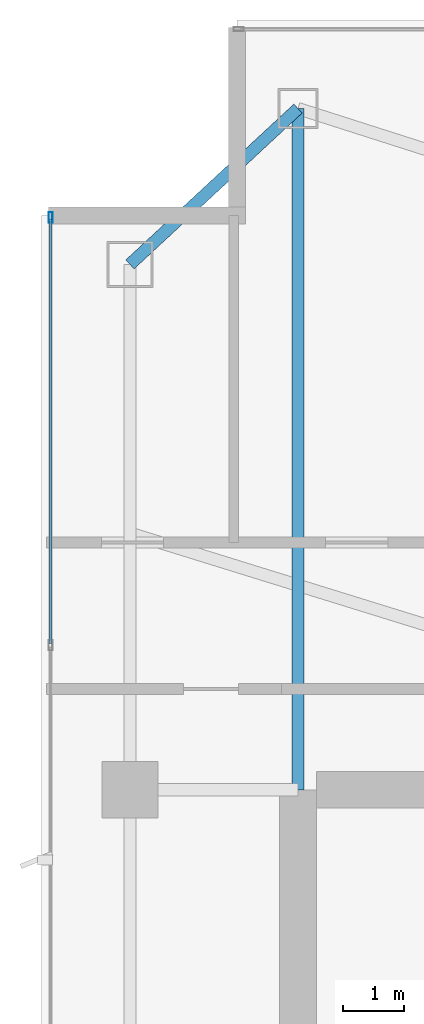
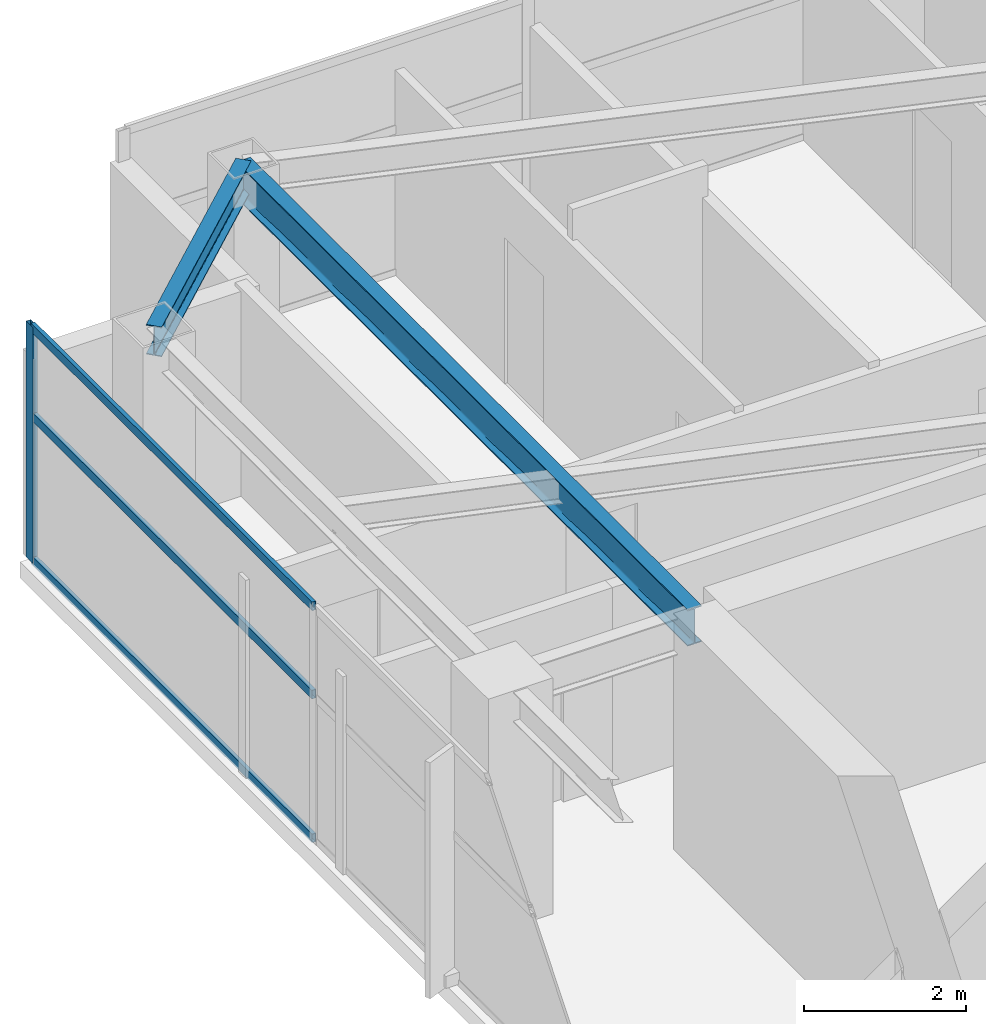
# One storey, part 17 of 28: 4 members, 2 beams, 1 element without a shape of its own.
"""IFC4 building model written with IfcOpenShell, lengths in metres."""

from ifc_helpers import new_model, si_unit, direction, frame, origin, origin_2d, place, context, subcontext, project, spatial, hollow_rectangle, i_section, extrude, material, layer, layer_set, material_profile, profile_set, type_object, element, aggregate, save


model = new_model("IFC4")

# Units and contexts
model_context = context("Model", 3, precision=1e-05, world=origin(), true_north=direction((0.0, 1.0)))
body_context = subcontext(model_context, "Body", "Model", "MODEL_VIEW")
ifc_project = project(units=[si_unit("LENGTHUNIT", "METRE"), si_unit("AREAUNIT", "SQUARE_METRE"), si_unit("VOLUMEUNIT", "CUBIC_METRE"), si_unit("PLANEANGLEUNIT", "RADIAN"), si_unit("MASSUNIT", "GRAM", prefix="KILO")], contexts=[model_context])

# Site, building, storey
site_placement = place(None, origin())
site = spatial("IfcSite", under=ifc_project, at=site_placement, CompositionType="ELEMENT")
building_placement = place(site_placement, origin())
building = spatial("IfcBuilding", under=site, at=building_placement, Name="Calvorn Quay Hotel", CompositionType="ELEMENT")
storey_placement = place(building_placement, frame((0.0, 0.0, 267.300048828125)))
storey = spatial("IfcBuildingStorey", under=building, at=storey_placement, Name="L66", CompositionType="ELEMENT", Elevation=267.300048828125)

# Beams
ifc_material_1 = material(Name="Steel Q355B", Category="steel")
ifc_material_profile_1 = material_profile(ifc_material_1, i_section(OverallWidth=0.199951171875, OverallDepth=0.550048828125, WebThickness=0.010009765625, FlangeThickness=0.01611328125, FilletRadius=0.01806640625, at=origin_2d()), Name="HN550x200x10x16")
ifc_profile_set_1 = profile_set([ifc_material_profile_1], Name="Steel Q355B")
beam_type_1 = type_object("IfcBeamType", Name="BM-GIRD-UPP", PredefinedType="BEAM", material=ifc_profile_set_1)
beam_1_placement = place(storey_placement, frame((4.199951171875, 49.550048828125, 3.264892578125), z_axis=(0.0, -1.0, 0.0), x_axis=(1.0, 0.0, 0.0)))
element("IfcBeam", 1, at=beam_1_placement, inside=storey, type_object=beam_type_1, Name="Beam BG-L66-W5", PredefinedType="BEAM", context=body_context, shape_type="SweptSolid", body=[
    extrude(i_section(OverallWidth=0.199951171875, OverallDepth=0.550048828125, WebThickness=0.010009765625, FlangeThickness=0.01611328125, FilletRadius=0.01806640625, at=origin_2d()), origin(), (0.0, 0.0, 1.0), 11.150146484375),
])
ifc_material_2 = material(Name="Steel Q355B", Category="steel")
ifc_material_profile_2 = material_profile(ifc_material_2, i_section(OverallWidth=0.199951171875, OverallDepth=0.449951171875, WebThickness=0.009033203125, FlangeThickness=0.013916015625, FilletRadius=0.01611328125, at=origin_2d()), Name="HN450x200x9x14")
ifc_profile_set_2 = profile_set([ifc_material_profile_2], Name="Steel Q355B")
beam_type_2 = type_object("IfcBeamType", Name="BM-SPANDREL-Z3", PredefinedType="SPANDREL", material=ifc_profile_set_2)
beam_2_placement = place(storey_placement, frame((1.449951171875, 47.0, 3.31494140625), z_axis=(0.733261665538, 0.679946563969, 0.0), x_axis=(-0.679946563969, 0.733261665538, 0.0)))
element("IfcBeam", 2, at=beam_2_placement, inside=storey, type_object=beam_type_2, Name="Beam BSP-L66-W5", PredefinedType="SPANDREL", context=body_context, shape_type="SweptSolid", body=[
    extrude(i_section(OverallWidth=0.199951171875, OverallDepth=0.449951171875, WebThickness=0.009033203125, FlangeThickness=0.013916015625, FilletRadius=0.01611328125, at=origin_2d()), origin(), (0.0, 0.0, 1.0), 3.75048828125),
])

# Curtain wall, members
ifc_material_3 = material(Name="Champagne Bronze Anodised Aluminium and Low-E Glass", Category="aluminium")
ifc_layer = layer(ifc_material_3, 0.219970703125)
ifc_layer_set = layer_set([ifc_layer], Name="CW-SYS-Z4")
curtain_wall_type = type_object("IfcCurtainWallType", Name="CW-SYS-Z4", PredefinedType="NOTDEFINED", material=ifc_layer_set)
curtain_wall_placement = place(storey_placement, origin())
curtain_wall = element("IfcCurtainWall", 3, at=curtain_wall_placement, inside=storey, type_object=curtain_wall_type, Name="Tower West Curtain Wall (L66)", PredefinedType="NOTDEFINED")
ifc_material_4 = material(Name="Champagne Bronze Anodised Aluminium 6063-T6", Category="aluminium")
ifc_material_profile_3 = material_profile(ifc_material_4, hollow_rectangle(XDim=0.06494140625, YDim=0.169921875, WallThickness=0.00341796875, at=origin_2d()), Name="ALU-M170x65x3.5")
ifc_profile_set_3 = profile_set([ifc_material_profile_3], Name="Champagne Bronze Anodised Aluminium 6063-T6")
member_type_1 = type_object("IfcMemberType", Name="CW-SYS-Z4-MUL", PredefinedType="MULLION", material=ifc_profile_set_3)
member_1_placement = place(storey_placement, frame((0.14990234375, 47.77001953125, 0.0), z_axis=(0.0, 0.0, 1.0), x_axis=(-1.0, 0.0, 0.0)))
member_1 = element("IfcMember", 4, at=member_1_placement, type_object=member_type_1, Name="CW-L66-W mullion 7", PredefinedType="MULLION", context=body_context, shape_type="SweptSolid", body=[
    extrude(hollow_rectangle(XDim=0.06494140625, YDim=0.169921875, WallThickness=0.00341796875, at=origin_2d()), origin(), (0.0, 0.0, 1.0), 3.56005859375),
])
ifc_material_5 = material(Name="Champagne Bronze Anodised Aluminium 6063-T6", Category="aluminium")
ifc_material_profile_4 = material_profile(ifc_material_5, hollow_rectangle(XDim=0.054931640625, YDim=0.1298828125, WallThickness=0.003173828125, at=origin_2d()), Name="ALU-T130x55x3.2")
ifc_profile_set_4 = profile_set([ifc_material_profile_4], Name="Champagne Bronze Anodised Aluminium 6063-T6")
member_type_2 = type_object("IfcMemberType", Name="CW-SYS-Z4-TRN", PredefinedType="USERDEFINED", material=ifc_profile_set_4)
member_2_placement = place(storey_placement, frame((0.14990234375, 40.796630859375, 0.030029296875), z_axis=(0.0, 1.0, 0.0), x_axis=(-1.0, 0.0, 0.0)))
member_2 = element("IfcMember", 5, at=member_2_placement, type_object=member_type_2, Name="CW-L66-W transom 6.1", ObjectType="TRANSOM", PredefinedType="USERDEFINED", context=body_context, shape_type="SweptSolid", body=[
    extrude(hollow_rectangle(XDim=0.054931640625, YDim=0.1298828125, WallThickness=0.003173828125, at=origin_2d()), origin(), (0.0, 0.0, 1.0), 6.943359375),
])
member_3_placement = place(storey_placement, frame((0.14990234375, 40.796630859375, 2.199951171875), z_axis=(0.0, 1.0, 0.0), x_axis=(-1.0, 0.0, 0.0)))
member_3 = element("IfcMember", 6, at=member_3_placement, type_object=member_type_2, Name="CW-L66-W transom 6.2", ObjectType="TRANSOM", PredefinedType="USERDEFINED", context=body_context, shape_type="SweptSolid", body=[
    extrude(hollow_rectangle(XDim=0.054931640625, YDim=0.1298828125, WallThickness=0.003173828125, at=origin_2d()), origin(), (0.0, 0.0, 1.0), 6.943359375),
])
member_4_placement = place(storey_placement, frame((0.14990234375, 40.796630859375, 3.530029296875), z_axis=(0.0, 1.0, 0.0), x_axis=(-1.0, 0.0, 0.0)))
member_4 = element("IfcMember", 7, at=member_4_placement, type_object=member_type_2, Name="CW-L66-W transom 6.3", ObjectType="TRANSOM", PredefinedType="USERDEFINED", context=body_context, shape_type="SweptSolid", body=[
    extrude(hollow_rectangle(XDim=0.054931640625, YDim=0.1298828125, WallThickness=0.003173828125, at=origin_2d()), origin(), (0.0, 0.0, 1.0), 6.943359375),
])
aggregate(curtain_wall, [member_1, member_2, member_3, member_4])

save(model, "model.ifc")
